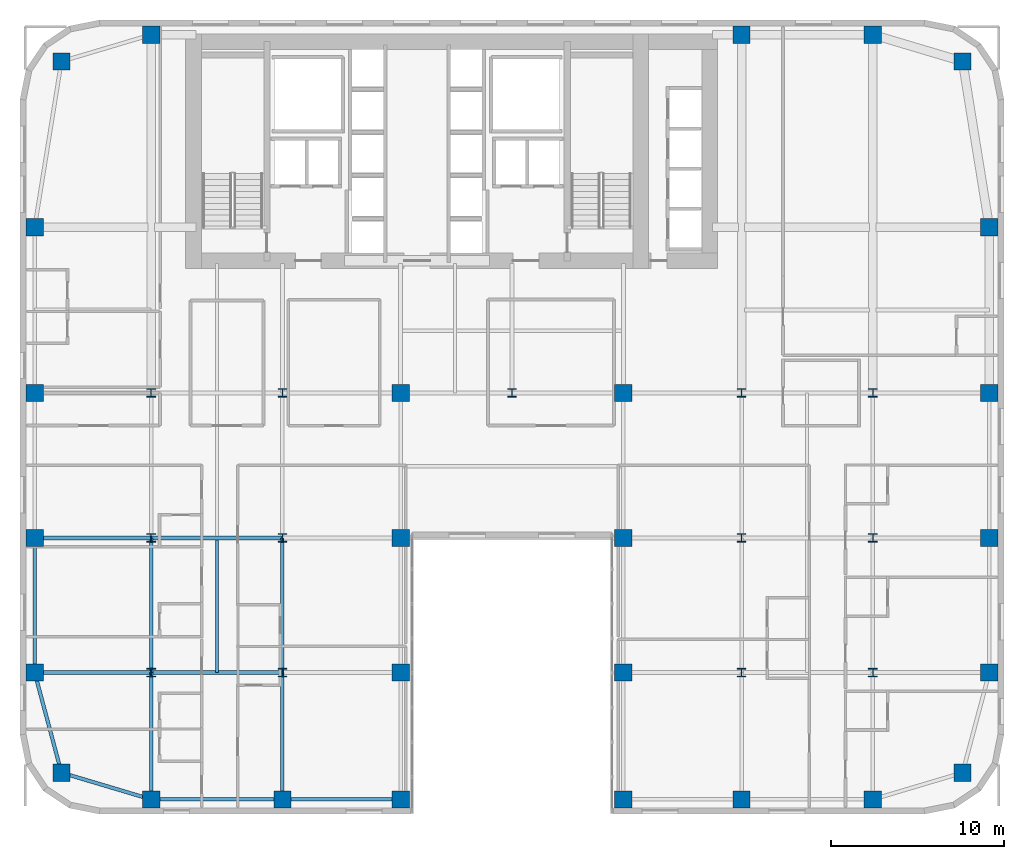
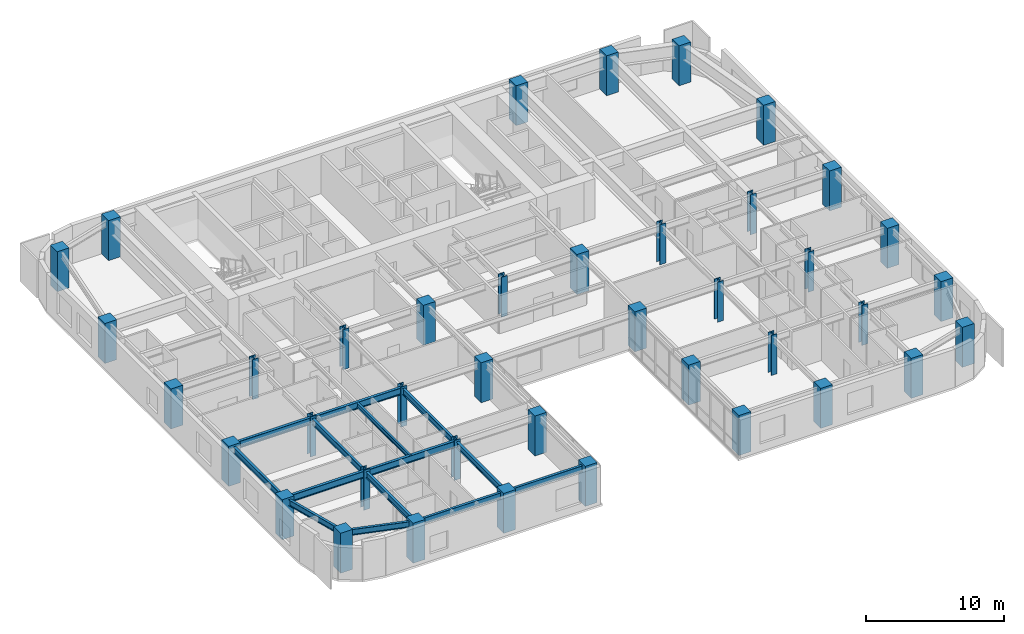
# One storey, part 1 of 16: 40 columns, 14 beams.
"""IFC4 building model written with IfcOpenShell, lengths in metres."""

from ifc_helpers import new_model, si_unit, direction, frame, origin, origin_2d, place, context, subcontext, project, spatial, rectangle, i_section, extrude, source, transform, mapped, material, material_profile, profile_set, type_object, type_shapes, element, save


model = new_model("IFC4")

# Units and contexts
model_context = context("Model", 3, precision=1e-05, world=origin(), true_north=direction((0.0, 1.0)))
body_context = subcontext(model_context, "Body", "Model", "MODEL_VIEW")
ifc_project = project(units=[si_unit("LENGTHUNIT", "METRE"), si_unit("AREAUNIT", "SQUARE_METRE"), si_unit("VOLUMEUNIT", "CUBIC_METRE"), si_unit("PLANEANGLEUNIT", "RADIAN"), si_unit("MASSUNIT", "GRAM", prefix="KILO")], contexts=[model_context])

# Site, building, storey
site_placement = place(None, origin())
site = spatial("IfcSite", under=ifc_project, at=site_placement, CompositionType="ELEMENT")
building_placement = place(site_placement, origin())
building = spatial("IfcBuilding", under=site, at=building_placement, Name="Tolvann Quenvar Hotel", CompositionType="ELEMENT")
storey_placement = place(building_placement, frame((0.0, 0.0, 63.949951171875)))
storey = spatial("IfcBuildingStorey", under=building, at=storey_placement, Name="L15", CompositionType="ELEMENT", Elevation=63.949951171875)

# Columns
ifc_material_1 = material(Name="Concrete S65 (65 MPa)", Category="concrete")
ifc_material_profile_1 = material_profile(ifc_material_1, rectangle(XDim=1.0, YDim=1.0, at=origin_2d()), Name="RC1000x1000")
ifc_profile_set_1 = profile_set([ifc_material_profile_1], Name="Concrete S65 (65 MPa)")
column_type_1 = type_object("IfcColumnType", Name="COL_RC1000", PredefinedType="COLUMN", material=ifc_profile_set_1)
shared_shape_1 = source(origin(), body_context, "Body", "SweptSolid", [
    extrude(rectangle(XDim=1.0, YDim=1.0, at=origin_2d()), origin(), (0.0, 0.0, 1.0), 3.550048828125),
])
type_shapes(column_type_1, [shared_shape_1])
for number, where, z_axis, x_axis, name in (
    (1, (2.39990234375, 2.39990234375, 0.0), (0.0, 0.0, 1.0), (1.0, 0.0, 0.0), "Column B2 (L15)"),
    (2, (0.85009765625, 8.199951171875, 0.0), (0.0, 0.0, 1.0), (1.0, 0.0, 0.0), "Column B3 (L15)"),
    (3, (0.85009765625, 16.0, 0.0), (0.0, 0.0, 1.0), (1.0, 0.0, 0.0), "Column B4 (L15)"),
    (4, (0.85009765625, 24.39990234375, 0.0), (0.0, 0.0, 1.0), (1.0, 0.0, 0.0), "Column B5 (L15)"),
    (5, (7.60009765625, 0.85009765625, 0.0), (0.0, 0.0, 1.0), (1.0, 0.0, 0.0), "Column C2 (L15)"),
    (6, (15.199951171875, 0.85009765625, 0.0), (0.0, 0.0, 1.0), (1.0, 0.0, 0.0), "Column D2 (L15)"),
    (7, (22.050048828125, 0.85009765625, 0.0), (0.0, 0.0, 1.0), (1.0, 0.0, 0.0), "Column E2 (L15)"),
    (8, (22.050048828125, 8.199951171875, 0.0), (0.0, 0.0, 1.0), (1.0, 0.0, 0.0), "Column E3 (L15)"),
    (9, (22.050048828125, 16.0, 0.0), (0.0, 0.0, 1.0), (1.0, 0.0, 0.0), "Column E4 (L15)"),
    (10, (22.050048828125, 24.39990234375, 0.0), (0.0, 0.0, 1.0), (1.0, 0.0, 0.0), "Column E5 (L15)"),
    (11, (34.949951171875, 0.85009765625, 0.0), (0.0, 0.0, 1.0), (1.0, 0.0, 0.0), "Column F2 (L15)"),
    (12, (34.949951171875, 8.199951171875, 0.0), (0.0, 0.0, 1.0), (1.0, 0.0, 0.0), "Column F3 (L15)"),
    (13, (34.949951171875, 16.0, 0.0), (0.0, 0.0, 1.0), (1.0, 0.0, 0.0), "Column F4 (L15)"),
    (14, (34.949951171875, 24.39990234375, 0.0), (0.0, 0.0, 1.0), (1.0, 0.0, 0.0), "Column F5 (L15)"),
    (15, (41.800048828125, 0.85009765625, 0.0), (0.0, 0.0, 1.0), (1.0, 0.0, 0.0), "Column H2 (L15)"),
    (16, (49.39990234375, 0.85009765625, 0.0), (0.0, 0.0, 1.0), (1.0, 0.0, 0.0), "Column I2 (L15)"),
    (17, (54.60009765625, 2.39990234375, 0.0), (0.0, 0.0, 1.0), (1.0, 0.0, 0.0), "Column J2 (L15)"),
    (18, (56.14990234375, 8.199951171875, 0.0), (0.0, 0.0, 1.0), (1.0, 0.0, 0.0), "Column J3 (L15)"),
    (19, (56.14990234375, 16.0, 0.0), (0.0, 0.0, 1.0), (1.0, 0.0, 0.0), "Column J4 (L15)"),
    (20, (56.14990234375, 24.39990234375, 0.0), (0.0, 0.0, 1.0), (1.0, 0.0, 0.0), "Column J5 (L15)"),
    (21, (2.39990234375, 43.60009765625, 0.0), (0.0, 0.0, 1.0), (1.0, 0.0, 0.0), "Column BN (L15)"),
    (22, (7.60009765625, 45.14990234375, 0.0), (0.0, 0.0, 1.0), (1.0, 0.0, 0.0), "Column CN (L15)"),
    (23, (0.85009765625, 34.0, 0.0), (0.0, 0.0, 1.0), (1.0, 0.0, 0.0), "Column BD6 (L15)"),
    (24, (41.800048828125, 45.14990234375, 0.0), (0.0, 0.0, 1.0), (1.0, 0.0, 0.0), "Column HN (L15)"),
    (25, (49.39990234375, 45.14990234375, 0.0), (0.0, 0.0, 1.0), (1.0, 0.0, 0.0), "Column IN (L15)"),
    (26, (54.60009765625, 43.60009765625, 0.0), (0.0, 0.0, 1.0), (1.0, 0.0, 0.0), "Column JN (L15)"),
    (27, (56.14990234375, 34.0, 0.0), (0.0, 0.0, 1.0), (1.0, 0.0, 0.0), "Column JD6 (L15)"),
):
    element("IfcColumn", number, at=place(storey_placement, frame(where, z_axis=z_axis, x_axis=x_axis)), inside=storey, type_object=column_type_1, Name=name, PredefinedType="COLUMN", context=body_context, shape_type="MappedRepresentation", body=[
        mapped(shared_shape_1, transform((0.0, 0.0, 0.0), x_axis=(1.0, 0.0, 0.0), y_axis=(0.0, 1.0, 0.0), z_axis=(0.0, 0.0, 1.0), scale=1.0)),
    ])
ifc_material_2 = material(Name="Steel Grade 350", Category="steel")
ifc_material_profile_2 = material_profile(ifc_material_2, i_section(OverallWidth=0.5, OverallDepth=0.5, WebThickness=0.028076171875, FlangeThickness=0.044921875, at=origin_2d()), Name="500WC440")
ifc_profile_set_2 = profile_set([ifc_material_profile_2], Name="Steel Grade 350")
column_type_2 = type_object("IfcColumnType", Name="COL_500WC440", PredefinedType="COLUMN", material=ifc_profile_set_2)
shared_shape_2 = source(origin(), body_context, "Body", "SweptSolid", [
    extrude(i_section(OverallWidth=0.5, OverallDepth=0.5, WebThickness=0.028076171875, FlangeThickness=0.044921875, at=origin_2d()), origin(), (0.0, 0.0, 1.0), 3.550048828125),
])
type_shapes(column_type_2, [shared_shape_2])
for number, where, z_axis, x_axis, name in (
    (28, (7.60009765625, 8.199951171875, 0.0), (0.0, 0.0, 1.0), (1.0, 0.0, 0.0), "Column C3 (L15)"),
    (29, (7.60009765625, 16.0, 0.0), (0.0, 0.0, 1.0), (1.0, 0.0, 0.0), "Column C4 (L15)"),
    (30, (7.60009765625, 24.39990234375, 0.0), (0.0, 0.0, 1.0), (1.0, 0.0, 0.0), "Column C5 (L15)"),
    (31, (15.199951171875, 8.199951171875, 0.0), (0.0, 0.0, 1.0), (1.0, 0.0, 0.0), "Column D3 (L15)"),
    (32, (15.199951171875, 16.0, 0.0), (0.0, 0.0, 1.0), (1.0, 0.0, 0.0), "Column D4 (L15)"),
    (33, (15.199951171875, 24.39990234375, 0.0), (0.0, 0.0, 1.0), (1.0, 0.0, 0.0), "Column D5 (L15)"),
    (34, (41.800048828125, 8.199951171875, 0.0), (0.0, 0.0, 1.0), (1.0, 0.0, 0.0), "Column H3 (L15)"),
    (35, (41.800048828125, 16.0, 0.0), (0.0, 0.0, 1.0), (1.0, 0.0, 0.0), "Column H4 (L15)"),
    (36, (41.800048828125, 24.39990234375, 0.0), (0.0, 0.0, 1.0), (1.0, 0.0, 0.0), "Column H5 (L15)"),
    (37, (49.39990234375, 8.199951171875, 0.0), (0.0, 0.0, 1.0), (1.0, 0.0, 0.0), "Column I3 (L15)"),
    (38, (49.39990234375, 16.0, 0.0), (0.0, 0.0, 1.0), (1.0, 0.0, 0.0), "Column I4 (L15)"),
    (39, (49.39990234375, 24.39990234375, 0.0), (0.0, 0.0, 1.0), (1.0, 0.0, 0.0), "Column I5 (L15)"),
    (40, (28.5, 24.39990234375, 0.0), (0.0, 0.0, 1.0), (1.0, 0.0, 0.0), "Column M5 (L15)"),
):
    element("IfcColumn", number, at=place(storey_placement, frame(where, z_axis=z_axis, x_axis=x_axis)), inside=storey, type_object=column_type_2, Name=name, PredefinedType="COLUMN", context=body_context, shape_type="MappedRepresentation", body=[
        mapped(shared_shape_2, transform((0.0, 0.0, 0.0), x_axis=(1.0, 0.0, 0.0), y_axis=(0.0, 1.0, 0.0), z_axis=(0.0, 0.0, 1.0), scale=1.0)),
    ])

# Beams
ifc_material_profile_3 = material_profile(ifc_material_2, i_section(OverallWidth=0.208984375, OverallDepth=0.528076171875, WebThickness=0.009521484375, FlangeThickness=0.01318359375, FilletRadius=0.013916015625, at=origin_2d()), Name="530UB82")
ifc_profile_set_3 = profile_set([ifc_material_profile_3], Name="Steel Grade 350")
beam_type_1 = type_object("IfcBeamType", Name="BM_SPAND_530UB82", PredefinedType="SPANDREL", material=ifc_profile_set_3)
shared_shape_3 = source(origin(), body_context, "Body", "SweptSolid", [
    extrude(i_section(OverallWidth=0.208984375, OverallDepth=0.528076171875, WebThickness=0.009521484375, FlangeThickness=0.01318359375, FilletRadius=0.013916015625, at=origin_2d()), origin(), (0.0, 0.0, 1.0), 5.42626953125),
])
beam_1_placement = place(storey_placement, frame((2.39990234375, 2.39990234375, 3.10595703125), z_axis=(0.958344815522, -0.285613750654, 0.0), x_axis=(0.285613750654, 0.958344815522, 0.0)))
element("IfcBeam", 41, at=beam_1_placement, inside=storey, type_object=beam_type_1, Name="BM-L15-EW-2-B2-C2", PredefinedType="SPANDREL", context=body_context, shape_type="MappedRepresentation", body=[
    mapped(shared_shape_3, transform((0.0, 0.0, 0.0), x_axis=(1.0, 0.0, 0.0), y_axis=(0.0, 1.0, 0.0), z_axis=(0.0, 0.0, 1.0), scale=1.0)),
])
shared_shape_4 = source(origin(), body_context, "Body", "SweptSolid", [
    extrude(i_section(OverallWidth=0.208984375, OverallDepth=0.528076171875, WebThickness=0.009521484375, FlangeThickness=0.01318359375, FilletRadius=0.013916015625, at=origin_2d()), origin(), (0.0, 0.0, 1.0), 7.599853515625),
])
beam_2_placement = place(storey_placement, frame((7.60009765625, 0.85009765625, 3.10595703125), z_axis=(1.0, 0.0, 0.0), x_axis=(0.0, 1.0, 0.0)))
element("IfcBeam", 42, at=beam_2_placement, inside=storey, type_object=beam_type_1, Name="BM-L15-EW-2-C2-D2", PredefinedType="SPANDREL", context=body_context, shape_type="MappedRepresentation", body=[
    mapped(shared_shape_4, transform((0.0, 0.0, 0.0), x_axis=(1.0, 0.0, 0.0), y_axis=(0.0, 1.0, 0.0), z_axis=(0.0, 0.0, 1.0), scale=1.0)),
])
shared_shape_5 = source(origin(), body_context, "Body", "SweptSolid", [
    extrude(i_section(OverallWidth=0.208984375, OverallDepth=0.528076171875, WebThickness=0.009521484375, FlangeThickness=0.01318359375, FilletRadius=0.013916015625, at=origin_2d()), origin(), (0.0, 0.0, 1.0), 6.85009765625),
])
beam_3_placement = place(storey_placement, frame((15.199951171875, 0.85009765625, 3.10595703125), z_axis=(1.0, 0.0, 0.0), x_axis=(0.0, 1.0, 0.0)))
element("IfcBeam", 43, at=beam_3_placement, inside=storey, type_object=beam_type_1, Name="BM-L15-EW-2-D2-E2", PredefinedType="SPANDREL", context=body_context, shape_type="MappedRepresentation", body=[
    mapped(shared_shape_5, transform((0.0, 0.0, 0.0), x_axis=(1.0, 0.0, 0.0), y_axis=(0.0, 1.0, 0.0), z_axis=(0.0, 0.0, 1.0), scale=1.0)),
])
ifc_material_profile_4 = material_profile(ifc_material_2, i_section(OverallWidth=0.22900390625, OverallDepth=0.612060546875, WebThickness=0.011962890625, FlangeThickness=0.01953125, FilletRadius=0.013916015625, at=origin_2d()), Name="610UB125")
ifc_profile_set_4 = profile_set([ifc_material_profile_4], Name="Steel Grade 350")
beam_type_2 = type_object("IfcBeamType", Name="BM_GIRD_610UB125", PredefinedType="BEAM", material=ifc_profile_set_4)
shared_shape_6 = source(origin(), body_context, "Body", "SweptSolid", [
    extrude(i_section(OverallWidth=0.22900390625, OverallDepth=0.612060546875, WebThickness=0.011962890625, FlangeThickness=0.01953125, FilletRadius=0.013916015625, at=origin_2d()), origin(), (0.0, 0.0, 1.0), 6.75),
])
for number, where, z_axis, x_axis, name in (
    (44, (0.85009765625, 8.199951171875, 3.06396484375), (1.0, 0.0, 0.0), (0.0, 1.0, 0.0), "BM-L15-EW-3-B3-C3"),
    (45, (0.85009765625, 16.0, 3.06396484375), (1.0, 0.0, 0.0), (0.0, 1.0, 0.0), "BM-L15-EW-4-B4-C4"),
):
    element("IfcBeam", number, at=place(storey_placement, frame(where, z_axis=z_axis, x_axis=x_axis)), inside=storey, type_object=beam_type_2, Name=name, PredefinedType="BEAM", context=body_context, shape_type="MappedRepresentation", body=[
        mapped(shared_shape_6, transform((0.0, 0.0, 0.0), x_axis=(1.0, 0.0, 0.0), y_axis=(0.0, 1.0, 0.0), z_axis=(0.0, 0.0, 1.0), scale=1.0)),
    ])
shared_shape_7 = source(origin(), body_context, "Body", "SweptSolid", [
    extrude(i_section(OverallWidth=0.22900390625, OverallDepth=0.612060546875, WebThickness=0.011962890625, FlangeThickness=0.01953125, FilletRadius=0.013916015625, at=origin_2d()), origin(), (0.0, 0.0, 1.0), 7.599853515625),
])
type_shapes(beam_type_2, [shared_shape_6, shared_shape_7])
for number, where, z_axis, x_axis, name in (
    (46, (7.60009765625, 8.199951171875, 3.06396484375), (1.0, 0.0, 0.0), (0.0, 1.0, 0.0), "BM-L15-EW-3-C3-D3"),
    (47, (7.60009765625, 16.0, 3.06396484375), (1.0, 0.0, 0.0), (0.0, 1.0, 0.0), "BM-L15-EW-4-C4-D4"),
):
    element("IfcBeam", number, at=place(storey_placement, frame(where, z_axis=z_axis, x_axis=x_axis)), inside=storey, type_object=beam_type_2, Name=name, PredefinedType="BEAM", context=body_context, shape_type="MappedRepresentation", body=[
        mapped(shared_shape_7, transform((0.0, 0.0, 0.0), x_axis=(1.0, 0.0, 0.0), y_axis=(0.0, 1.0, 0.0), z_axis=(0.0, 0.0, 1.0), scale=1.0)),
    ])
shared_shape_8 = source(origin(), body_context, "Body", "SweptSolid", [
    extrude(i_section(OverallWidth=0.208984375, OverallDepth=0.528076171875, WebThickness=0.009521484375, FlangeThickness=0.01318359375, FilletRadius=0.013916015625, at=origin_2d()), origin(), (0.0, 0.0, 1.0), 6.00341796875),
])
beam_4_placement = place(storey_placement, frame((2.39990234375, 2.39990234375, 3.10595703125), z_axis=(-0.258148586649, 0.966105225745, 0.0), x_axis=(-0.966105225745, -0.258148586649, 0.0)))
element("IfcBeam", 48, at=beam_4_placement, inside=storey, type_object=beam_type_1, Name="BM-L15-NS-B2-B3", PredefinedType="SPANDREL", context=body_context, shape_type="MappedRepresentation", body=[
    mapped(shared_shape_8, transform((0.0, 0.0, 0.0), x_axis=(1.0, 0.0, 0.0), y_axis=(0.0, 1.0, 0.0), z_axis=(0.0, 0.0, 1.0), scale=1.0)),
])
shared_shape_9 = source(origin(), body_context, "Body", "SweptSolid", [
    extrude(i_section(OverallWidth=0.208984375, OverallDepth=0.528076171875, WebThickness=0.009521484375, FlangeThickness=0.01318359375, FilletRadius=0.013916015625, at=origin_2d()), origin(), (0.0, 0.0, 1.0), 7.800048828125),
])
type_shapes(beam_type_1, [shared_shape_3, shared_shape_4, shared_shape_5, shared_shape_8, shared_shape_9])
beam_5_placement = place(storey_placement, frame((0.85009765625, 8.199951171875, 3.10595703125), z_axis=(0.0, 1.0, 0.0), x_axis=(-1.0, 0.0, 0.0)))
element("IfcBeam", 49, at=beam_5_placement, inside=storey, type_object=beam_type_1, Name="BM-L15-NS-B3-B4", PredefinedType="SPANDREL", context=body_context, shape_type="MappedRepresentation", body=[
    mapped(shared_shape_9, transform((0.0, 0.0, 0.0), x_axis=(1.0, 0.0, 0.0), y_axis=(0.0, 1.0, 0.0), z_axis=(0.0, 0.0, 1.0), scale=1.0)),
])
ifc_material_profile_5 = material_profile(ifc_material_2, i_section(OverallWidth=0.208984375, OverallDepth=0.532958984375, WebThickness=0.01025390625, FlangeThickness=0.015625, FilletRadius=0.013916015625, at=origin_2d()), Name="530UB92")
ifc_profile_set_5 = profile_set([ifc_material_profile_5], Name="Steel Grade 350")
beam_type_3 = type_object("IfcBeamType", Name="BM_GIRD_530UB92", PredefinedType="BEAM", material=ifc_profile_set_5)
shared_shape_10 = source(origin(), body_context, "Body", "SweptSolid", [
    extrude(i_section(OverallWidth=0.208984375, OverallDepth=0.532958984375, WebThickness=0.01025390625, FlangeThickness=0.015625, FilletRadius=0.013916015625, at=origin_2d()), origin(), (0.0, 0.0, 1.0), 7.349853515625),
])
for number, where, z_axis, x_axis, name in (
    (50, (7.60009765625, 0.85009765625, 3.103515625), (0.0, 1.0, 0.0), (-1.0, 0.0, 0.0), "BM-L15-NS-C2-C3"),
    (51, (15.199951171875, 0.85009765625, 3.103515625), (0.0, 1.0, 0.0), (-1.0, 0.0, 0.0), "BM-L15-NS-D2-D3"),
):
    element("IfcBeam", number, at=place(storey_placement, frame(where, z_axis=z_axis, x_axis=x_axis)), inside=storey, type_object=beam_type_3, Name=name, PredefinedType="BEAM", context=body_context, shape_type="MappedRepresentation", body=[
        mapped(shared_shape_10, transform((0.0, 0.0, 0.0), x_axis=(1.0, 0.0, 0.0), y_axis=(0.0, 1.0, 0.0), z_axis=(0.0, 0.0, 1.0), scale=1.0)),
    ])
shared_shape_11 = source(origin(), body_context, "Body", "SweptSolid", [
    extrude(i_section(OverallWidth=0.208984375, OverallDepth=0.532958984375, WebThickness=0.01025390625, FlangeThickness=0.015625, FilletRadius=0.013916015625, at=origin_2d()), origin(), (0.0, 0.0, 1.0), 7.800048828125),
])
type_shapes(beam_type_3, [shared_shape_10, shared_shape_11])
for number, where, z_axis, x_axis, name in (
    (52, (7.60009765625, 8.199951171875, 3.103515625), (0.0, 1.0, 0.0), (-1.0, 0.0, 0.0), "BM-L15-NS-C3-C4"),
    (53, (15.199951171875, 8.199951171875, 3.103515625), (0.0, 1.0, 0.0), (-1.0, 0.0, 0.0), "BM-L15-NS-D3-D4"),
):
    element("IfcBeam", number, at=place(storey_placement, frame(where, z_axis=z_axis, x_axis=x_axis)), inside=storey, type_object=beam_type_3, Name=name, PredefinedType="BEAM", context=body_context, shape_type="MappedRepresentation", body=[
        mapped(shared_shape_11, transform((0.0, 0.0, 0.0), x_axis=(1.0, 0.0, 0.0), y_axis=(0.0, 1.0, 0.0), z_axis=(0.0, 0.0, 1.0), scale=1.0)),
    ])
ifc_material_profile_6 = material_profile(ifc_material_2, i_section(OverallWidth=0.177978515625, OverallDepth=0.406005859375, WebThickness=0.0078125, FlangeThickness=0.0126953125, FilletRadius=0.011474609375, at=origin_2d()), Name="410UB60")
ifc_profile_set_6 = profile_set([ifc_material_profile_6], Name="Steel Grade 350")
beam_type_4 = type_object("IfcBeamType", Name="BM_JOIST_410UB60", PredefinedType="JOIST", material=ifc_profile_set_6)
shared_shape_12 = source(origin(), body_context, "Body", "SweptSolid", [
    extrude(i_section(OverallWidth=0.177978515625, OverallDepth=0.406005859375, WebThickness=0.0078125, FlangeThickness=0.0126953125, FilletRadius=0.011474609375, at=origin_2d()), origin(), (0.0, 0.0, 1.0), 7.691650390625),
])
type_shapes(beam_type_4, [shared_shape_12])
beam_6_placement = place(storey_placement, frame((11.39990234375, 8.199951171875, 3.1669921875), z_axis=(0.0, 1.0, 0.0), x_axis=(-1.0, 0.0, 0.0)))
element("IfcBeam", 54, at=beam_6_placement, inside=storey, type_object=beam_type_4, Name="BJ-L15-114-82", PredefinedType="JOIST", context=body_context, shape_type="MappedRepresentation", body=[
    mapped(shared_shape_12, transform((0.0, 0.0, 0.0), x_axis=(1.0, 0.0, 0.0), y_axis=(0.0, 1.0, 0.0), z_axis=(0.0, 0.0, 1.0), scale=1.0)),
])

save(model, "model.ifc")
